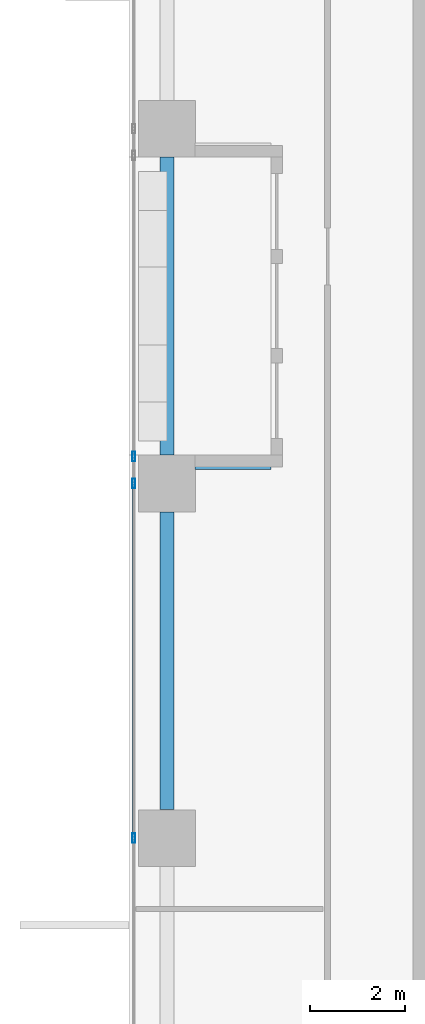
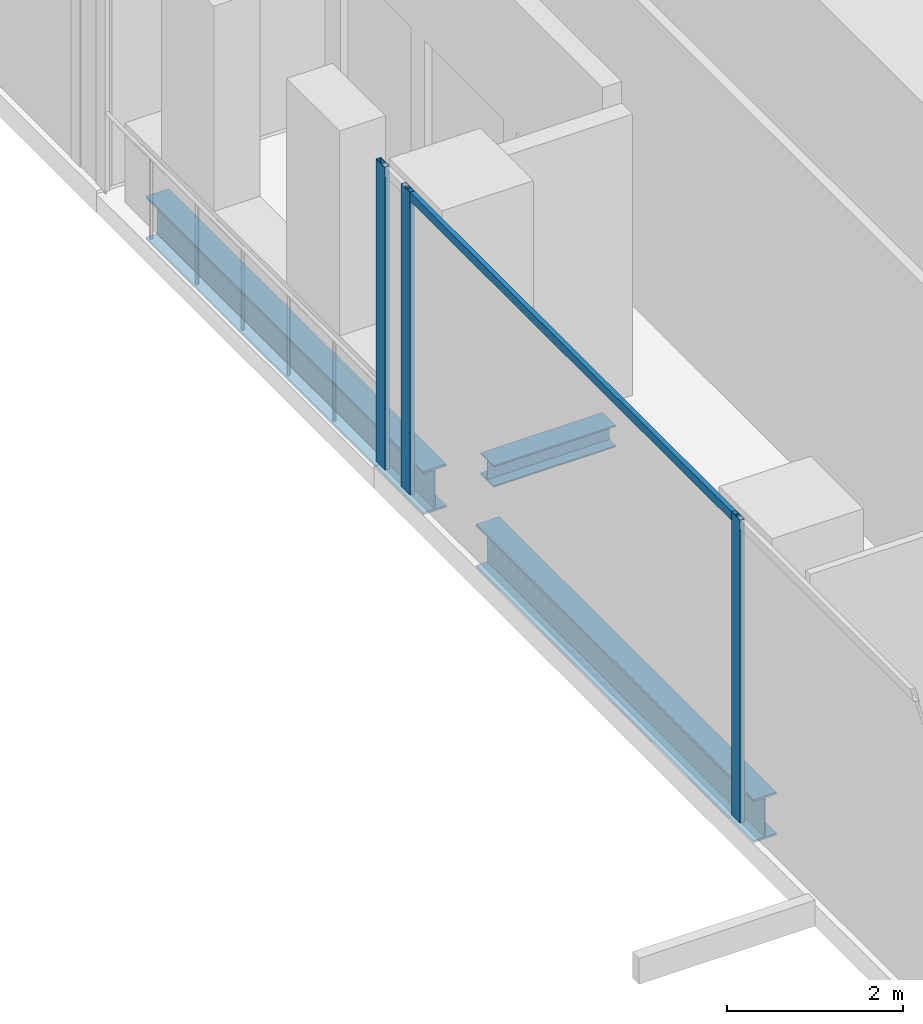
# One storey, part 5 of 32: 4 members, 3 beams, 1 element without a shape of its own.
"""IFC4 building model written with IfcOpenShell, lengths in metres."""

from ifc_helpers import new_model, si_unit, direction, frame, origin, origin_2d, place, context, subcontext, project, spatial, hollow_rectangle, i_section, extrude, source, transform, mapped, material, material_profile, profile_set, type_object, element, aggregate, save


model = new_model("IFC4")

# Units and contexts
model_context = context("Model", 3, precision=1e-05, world=origin(), true_north=direction((0.0, 1.0)))
body_context = subcontext(model_context, "Body", "Model", "MODEL_VIEW")
ifc_project = project(units=[si_unit("LENGTHUNIT", "METRE"), si_unit("AREAUNIT", "SQUARE_METRE"), si_unit("VOLUMEUNIT", "CUBIC_METRE"), si_unit("PLANEANGLEUNIT", "RADIAN"), si_unit("MASSUNIT", "GRAM", prefix="KILO")], contexts=[model_context])

# Site, building, storey
site_placement = place(None, origin())
site = spatial("IfcSite", under=ifc_project, at=site_placement, CompositionType="ELEMENT")
building_placement = place(site_placement, origin())
building = spatial("IfcBuilding", under=site, at=building_placement, Name="Khomas Fold Tower", CompositionType="ELEMENT")
storey_placement = place(building_placement, frame((0.0, 0.0, 64.5)))
storey = spatial("IfcBuildingStorey", under=building, at=storey_placement, Name="L13", CompositionType="ELEMENT", Elevation=64.5)

# Beams
ifc_material_1 = material(Name="Steel S355", Category="steel")
ifc_material_profile_1 = material_profile(ifc_material_1, i_section(OverallWidth=0.300048828125, OverallDepth=0.60009765625, WebThickness=0.015380859375, FlangeThickness=0.030029296875, at=origin_2d()), Name="HE 600 B")
ifc_profile_set_1 = profile_set([ifc_material_profile_1], Name="Steel S355")
beam_type_1 = type_object("IfcBeamType", Name="HE 600 B spandrel SB1", PredefinedType="SPANDREL", material=ifc_profile_set_1)
shared_shape_1 = source(origin(), body_context, "Body", "SweptSolid", [
    extrude(i_section(OverallWidth=0.300048828125, OverallDepth=0.60009765625, WebThickness=0.015380859375, FlangeThickness=0.030029296875, at=origin_2d()), origin(), (0.0, 0.0, 1.0), 6.2998046875),
])
for number, where, z_axis, x_axis, name in (
    (1, (0.800048828125, 27.60009765625, -0.60009765625), (0.0, 1.0, 0.0), (-1.0, 0.0, 0.0), "SB1"),
    (2, (0.800048828125, 20.10009765625, -0.60009765625), (0.0, 1.0, 0.0), (-1.0, 0.0, 0.0), "SB1"),
):
    element("IfcBeam", number, at=place(storey_placement, frame(where, z_axis=z_axis, x_axis=x_axis)), inside=storey, type_object=beam_type_1, Name=name, PredefinedType="SPANDREL", context=body_context, shape_type="MappedRepresentation", body=[
        mapped(shared_shape_1, transform((0.0, 0.0, 0.0))),
    ])
ifc_material_2 = material(Name="Steel S355", Category="steel")
ifc_material_profile_2 = material_profile(ifc_material_2, i_section(OverallWidth=0.300048828125, OverallDepth=0.300048828125, WebThickness=0.010986328125, FlangeThickness=0.01904296875, at=origin_2d()), Name="HE 300 B")
ifc_profile_set_2 = profile_set([ifc_material_profile_2], Name="Steel S355")
beam_type_2 = type_object("IfcBeamType", Name="HE 300 B beam BB1", PredefinedType="BEAM", material=ifc_profile_set_2)
shared_shape_2 = source(origin(), body_context, "Body", "SweptSolid", [
    extrude(i_section(OverallWidth=0.300048828125, OverallDepth=0.300048828125, WebThickness=0.010986328125, FlangeThickness=0.01904296875, at=origin_2d()), origin(), (0.0, 0.0, 1.0), 1.60009765625),
])
beam_placement = place(storey_placement, frame((1.39990234375, 27.449951171875, -0.449951171875), z_axis=(1.0, 0.0, 0.0), x_axis=(0.0, 1.0, 0.0)))
element("IfcBeam", 3, at=beam_placement, inside=storey, type_object=beam_type_2, Name="BB1", PredefinedType="BEAM", context=body_context, shape_type="MappedRepresentation", body=[
    mapped(shared_shape_2, transform((0.0, 0.0, 0.0))),
])

# Curtain wall, members
ifc_material_3 = material(Name="Aluminium framed double glazing", Category="aluminium")
curtain_wall_type = type_object("IfcCurtainWallType", Name="SK-Unitised clear-glass wall, growing floors CW1", PredefinedType="NOTDEFINED", material=ifc_material_3)
curtain_wall_placement = place(storey_placement, origin())
curtain_wall = element("IfcCurtainWall", 4, at=curtain_wall_placement, inside=storey, type_object=curtain_wall_type, Name="CW1 run L13 09-1", PredefinedType="NOTDEFINED")
ifc_material_4 = material(Name="Aluminium", Category="aluminium")
ifc_material_profile_3 = material_profile(ifc_material_4, hollow_rectangle(XDim=0.06005859375, YDim=0.1201171875, WallThickness=0.00390625, at=origin_2d()), Name="SK-Unitised clear-glass wall, growing floors transom CW1-T")
ifc_profile_set_3 = profile_set([ifc_material_profile_3], Name="Aluminium")
member_type_1 = type_object("IfcMemberType", Name="SK-Unitised clear-glass wall, growing floors transom CW1-T", PredefinedType="USERDEFINED", material=ifc_profile_set_3)
shared_shape_3 = source(origin(), body_context, "Body", "SweptSolid", [
    extrude(hollow_rectangle(XDim=0.06005859375, YDim=0.1201171875, WallThickness=0.00390625, at=origin_2d()), origin(), (0.0, 0.0, 1.0), 7.43994140625),
])
member_1_placement = place(storey_placement, frame((0.10009765625, 26.969970703125, 4.139892578125), z_axis=(0.0, -1.0, 0.0), x_axis=(1.0, 0.0, 0.0)))
member_1 = element("IfcMember", 5, at=member_1_placement, type_object=member_type_1, Name="CW1 transom 2", ObjectType="TRANSOM", PredefinedType="USERDEFINED", context=body_context, shape_type="MappedRepresentation", body=[
    mapped(shared_shape_3, transform((0.0, 0.0, 0.0))),
])
ifc_material_5 = material(Name="Aluminium", Category="aluminium")
ifc_material_profile_4 = material_profile(ifc_material_5, hollow_rectangle(XDim=0.06005859375, YDim=0.199951171875, WallThickness=0.00390625, at=origin_2d()), Name="SK-Unitised clear-glass wall, growing floors mullion CW1-M")
ifc_profile_set_4 = profile_set([ifc_material_profile_4], Name="Aluminium")
member_type_2 = type_object("IfcMemberType", Name="SK-Unitised clear-glass wall, growing floors mullion CW1-M", PredefinedType="MULLION", material=ifc_profile_set_4)
shared_shape_4 = source(origin(), body_context, "Body", "SweptSolid", [
    extrude(hollow_rectangle(XDim=0.06005859375, YDim=0.199951171875, WallThickness=0.00390625, at=origin_2d()), origin(), (0.0, 0.0, 1.0), 4.199951171875),
])
member_2_placement = place(storey_placement, frame((0.10009765625, 27.570068359375, 0.0), z_axis=(0.0, 0.0, 1.0), x_axis=(1.0, 0.0, 0.0)))
member_2 = element("IfcMember", 6, at=member_2_placement, type_object=member_type_2, Name="CW1 mullion 1", PredefinedType="MULLION", context=body_context, shape_type="MappedRepresentation", body=[
    mapped(shared_shape_4, transform((0.0, 0.0, 0.0))),
])
member_3_placement = place(storey_placement, frame((0.10009765625, 27.0, 0.0), z_axis=(0.0, 0.0, 1.0), x_axis=(1.0, 0.0, 0.0)))
member_3 = element("IfcMember", 7, at=member_3_placement, type_object=member_type_2, Name="CW1 mullion 2", PredefinedType="MULLION", context=body_context, shape_type="MappedRepresentation", body=[
    mapped(shared_shape_4, transform((0.0, 0.0, 0.0))),
])
member_4_placement = place(storey_placement, frame((0.10009765625, 19.5, 0.0), z_axis=(0.0, 0.0, 1.0), x_axis=(1.0, 0.0, 0.0)))
member_4 = element("IfcMember", 8, at=member_4_placement, type_object=member_type_2, Name="CW1 mullion 3", PredefinedType="MULLION", context=body_context, shape_type="MappedRepresentation", body=[
    mapped(shared_shape_4, transform((0.0, 0.0, 0.0))),
])
aggregate(curtain_wall, [member_2, member_3, member_4, member_1])

save(model, "model.ifc")
